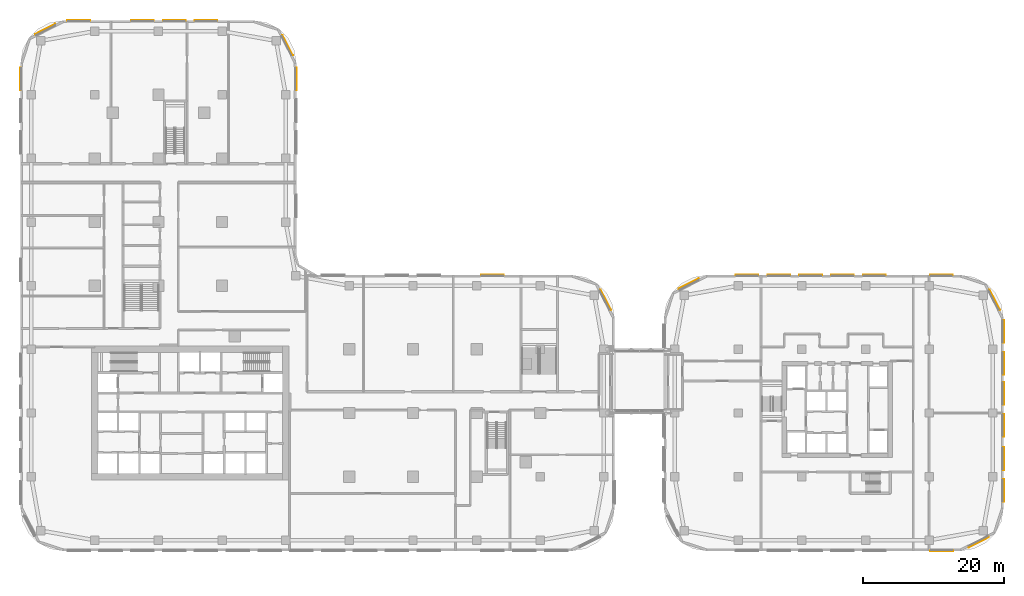
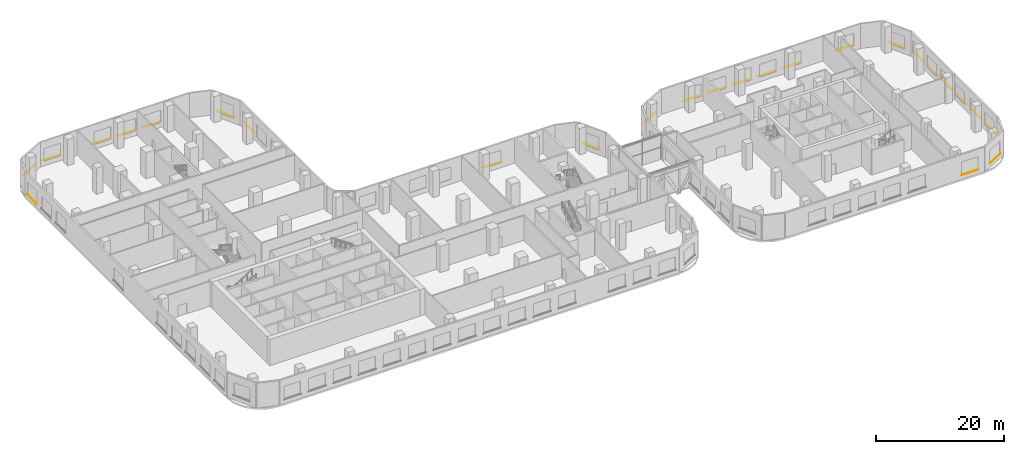
# One storey, part 35 of 35: 26 coverings.
"""IFC4 building model written with IfcOpenShell, lengths in metres."""

from ifc_helpers import new_model, si_unit, direction, frame, origin, origin_2d, place, context, subcontext, project, spatial, rectangle, extrude, material, layer, layer_set, type_object, element, save


model = new_model("IFC4")

# Units and contexts
model_context = context("Model", 3, precision=1e-05, world=origin(), true_north=direction((0.0, 1.0)))
body_context = subcontext(model_context, "Body", "Model", "MODEL_VIEW")
ifc_project = project(units=[si_unit("LENGTHUNIT", "METRE"), si_unit("AREAUNIT", "SQUARE_METRE"), si_unit("VOLUMEUNIT", "CUBIC_METRE"), si_unit("PLANEANGLEUNIT", "RADIAN"), si_unit("MASSUNIT", "GRAM", prefix="KILO")], contexts=[model_context])

# Site, building, storey
site_placement = place(None, origin())
site = spatial("IfcSite", under=ifc_project, at=site_placement, CompositionType="ELEMENT")
building_placement = place(site_placement, origin())
building = spatial("IfcBuilding", under=site, at=building_placement, Name="Ogive Portal Towers", CompositionType="ELEMENT")
storey_placement = place(building_placement, frame((0.0, 0.0, 23.5)))
storey = spatial("IfcBuildingStorey", under=building, at=storey_placement, Name="L04", CompositionType="ELEMENT", Elevation=23.5)

# Coverings
ifc_material = material(Name="Limestone cladding on lightweight block wall", Category="masonry")
ifc_layer = layer(ifc_material, 0.080078125)
ifc_layer_set = layer_set([ifc_layer], Name="STONE SILL 80")
covering_type = type_object("IfcCoveringType", Name="STONE SILL 80", PredefinedType="CLADDING", material=ifc_layer_set)
for number, where, z_axis, x_axis, name in (
    (1, (103.766357421875, 46.50927734375, 0.840087890625), (0.0, 0.0, 1.0), (-0.45399049974, 0.891006524188, 0.0), "Stone sill"),
    (2, (87.75, 50.0400390625, 0.840087890625), (0.0, 0.0, 1.0), (-1.0, 0.0, 0.0), "Stone sill"),
    (3, (60.0400390625, 77.75, 0.840087890625), (0.0, 0.0, 1.0), (0.0, 1.0, 0.0), "Stone sill"),
    (4, (58.766357421875, 82.50927734375, 0.840087890625), (0.0, 0.0, 1.0), (-0.45399049974, 0.891006524188, 0.0), "Stone sill"),
    (5, (47.25, 86.0400390625, 0.840087890625), (0.0, 0.0, 1.0), (-1.0, 0.0, 0.0), "Stone sill"),
    (6, (42.75, 86.0400390625, 0.840087890625), (0.0, 0.0, 1.0), (-1.0, 0.0, 0.0), "Stone sill"),
    (7, (38.25, 86.0400390625, 0.840087890625), (0.0, 0.0, 1.0), (-1.0, 0.0, 0.0), "Stone sill"),
    (8, (29.226318359375, 86.0400390625, 0.840087890625), (0.0, 0.0, 1.0), (-1.0, 0.0, 0.0), "Stone sill"),
    (9, (24.49072265625, 84.766357421875, 0.840087890625), (0.0, 0.0, 1.0), (-0.891006524188, -0.45399049974, 0.0), "Stone sill"),
    (10, (20.9599609375, 77.726318359375, 0.840087890625), (0.0, 0.0, 1.0), (0.0, -1.0, 0.0), "Stone sill"),
    (11, (151.273681640625, 10.9599609375, 0.840087890625), (0.0, 0.0, 1.0), (1.0, 0.0, 0.0), "Stone sill"),
    (12, (156.50927734375, 12.233642578125, 0.840087890625), (0.0, 0.0, 1.0), (0.891006524188, 0.45399049974, 0.0), "Stone sill"),
    (13, (160.0400390625, 19.523681640625, 0.840087890625), (0.0, 0.0, 1.0), (0.0, 1.0, 0.0), "Stone sill"),
    (14, (160.0400390625, 24.023681640625, 0.840087890625), (0.0, 0.0, 1.0), (0.0, 1.0, 0.0), "Stone sill"),
    (15, (160.0400390625, 28.75, 0.840087890625), (0.0, 0.0, 1.0), (0.0, 1.0, 0.0), "Stone sill"),
    (16, (160.0400390625, 33.25, 0.840087890625), (0.0, 0.0, 1.0), (0.0, 1.0, 0.0), "Stone sill"),
    (17, (160.0400390625, 37.523681640625, 0.840087890625), (0.0, 0.0, 1.0), (0.0, 1.0, 0.0), "Stone sill"),
    (18, (160.0400390625, 42.023681640625, 0.840087890625), (0.0, 0.0, 1.0), (0.0, 1.0, 0.0), "Stone sill"),
    (19, (158.766357421875, 46.50927734375, 0.840087890625), (0.0, 0.0, 1.0), (-0.45399049974, 0.891006524188, 0.0), "Stone sill"),
    (20, (151.226318359375, 50.0400390625, 0.840087890625), (0.0, 0.0, 1.0), (-1.0, 0.0, 0.0), "Stone sill"),
    (21, (141.75, 50.0400390625, 0.840087890625), (0.0, 0.0, 1.0), (-1.0, 0.0, 0.0), "Stone sill"),
    (22, (137.25, 50.0400390625, 0.840087890625), (0.0, 0.0, 1.0), (-1.0, 0.0, 0.0), "Stone sill"),
    (23, (132.75, 50.0400390625, 0.840087890625), (0.0, 0.0, 1.0), (-1.0, 0.0, 0.0), "Stone sill"),
    (24, (128.25, 50.0400390625, 0.840087890625), (0.0, 0.0, 1.0), (-1.0, 0.0, 0.0), "Stone sill"),
    (25, (123.75, 50.0400390625, 0.840087890625), (0.0, 0.0, 1.0), (-1.0, 0.0, 0.0), "Stone sill"),
    (26, (115.49072265625, 48.766357421875, 0.840087890625), (0.0, 0.0, 1.0), (-0.891006524188, -0.45399049974, 0.0), "Stone sill"),
):
    element("IfcCovering", number, at=place(storey_placement, frame(where, z_axis=z_axis, x_axis=x_axis)), inside=storey, type_object=covering_type, Name=name, PredefinedType="CLADDING", context=body_context, shape_type="SweptSolid", body=[
        extrude(rectangle(XDim=3.199951171875, YDim=0.080078125, at=origin_2d()), origin(), (0.0, 0.0, 1.0), 0.06005859375),
    ])

save(model, "model.ifc")
